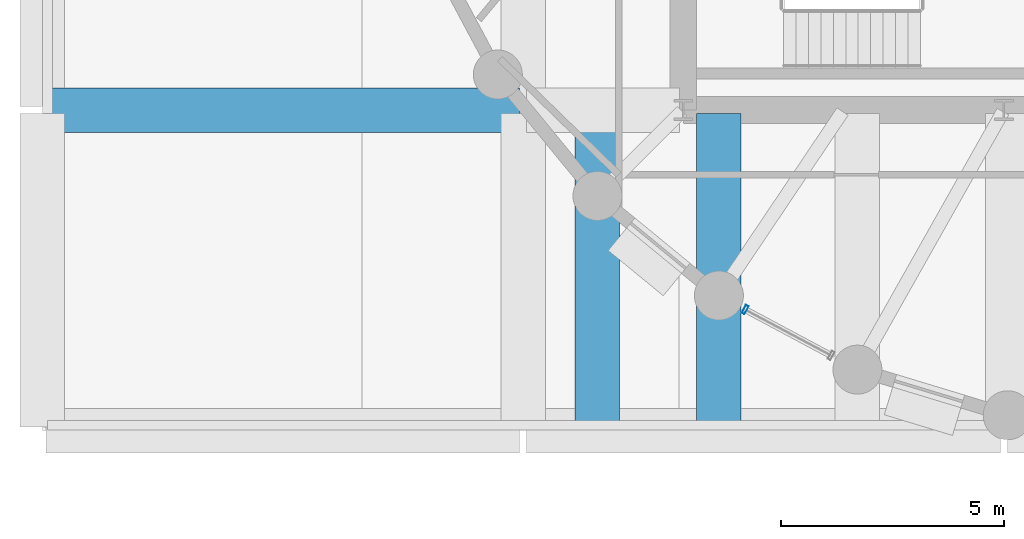
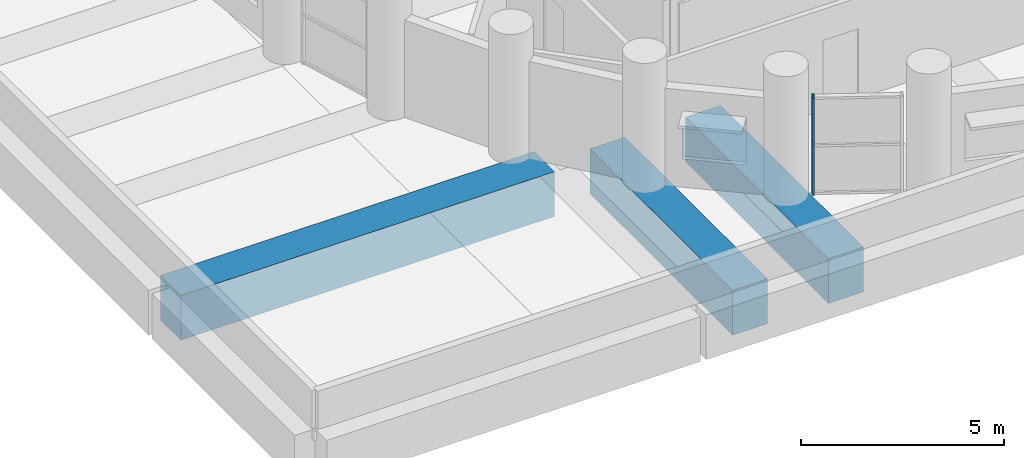
# One storey, part 2 of 39: 3 beams, 1 member, 1 element without a shape of its own.
"""IFC4 building model written with IfcOpenShell, lengths in metres."""

from ifc_helpers import new_model, si_unit, direction, frame, origin, origin_2d, place, context, subcontext, project, spatial, rectangle, hollow_rectangle, extrude, material, layer, layer_set, material_profile, profile_set, type_object, element, aggregate, save


model = new_model("IFC4")

# Units and contexts
model_context = context("Model", 3, precision=1e-05, world=origin(), true_north=direction((0.0, 1.0)))
body_context = subcontext(model_context, "Body", "Model", "MODEL_VIEW")
ifc_project = project(units=[si_unit("LENGTHUNIT", "METRE"), si_unit("AREAUNIT", "SQUARE_METRE"), si_unit("VOLUMEUNIT", "CUBIC_METRE"), si_unit("PLANEANGLEUNIT", "RADIAN"), si_unit("MASSUNIT", "GRAM", prefix="KILO")], contexts=[model_context])

# Site, building, storey
site_placement = place(None, origin())
site = spatial("IfcSite", under=ifc_project, at=site_placement, CompositionType="ELEMENT")
building_placement = place(site_placement, origin())
building = spatial("IfcBuilding", under=site, at=building_placement, Name="Solnavia Interchange Tower", CompositionType="ELEMENT")
storey_placement = place(building_placement, frame((0.0, 0.0, 24.0)))
storey = spatial("IfcBuildingStorey", under=building, at=storey_placement, Name="L05", CompositionType="ELEMENT", Elevation=24.0)

# Beams
ifc_material_1 = material(Name="Concrete C60/75", Category="concrete")
ifc_material_profile_1 = material_profile(ifc_material_1, rectangle(XDim=1.0, YDim=1.35009765625, at=origin_2d()), Name="RC 1000x1350")
ifc_profile_set_1 = profile_set([ifc_material_profile_1], Name="Concrete C60/75")
beam_type = type_object("IfcBeamType", Name="Beam-Transfer-RC1000x1350", PredefinedType="BEAM", material=ifc_profile_set_1)
beam_placement = place(storey_placement, frame((0.080078125, 10.800048828125, -0.675048828125), z_axis=(1.0, 0.0, 0.0), x_axis=(0.0, 1.0, 0.0)))
element("IfcBeam", 1, at=beam_placement, inside=storey, type_object=beam_type, Name="TRB-L05-07 West-south primary transfer girder", PredefinedType="BEAM", context=body_context, shape_type="SweptSolid", body=[
    extrude(rectangle(XDim=1.0, YDim=1.35009765625, at=origin_2d()), origin(), (0.0, 0.0, 1.0), 10.639892578125),
])
for number, where, z_axis, x_axis, name in (
    (2, (12.471923828125, 3.679931640625, -0.675048828125), (0.0, 1.0, 0.0), (-1.0, 0.0, 0.0), "TRB-L05-78 Drum south transfer girder"),
    (3, (15.199951171875, 3.679931640625, -0.675048828125), (0.0, 1.0, 0.0), (-1.0, 0.0, 0.0), "TRB-L05-79 Drum south transfer girder"),
):
    element("IfcBeam", number, at=place(storey_placement, frame(where, z_axis=z_axis, x_axis=x_axis)), inside=storey, type_object=beam_type, Name=name, PredefinedType="BEAM", context=body_context, shape_type="SweptSolid", body=[
        extrude(rectangle(XDim=1.0, YDim=1.35009765625, at=origin_2d()), origin(), (0.0, 0.0, 1.0), 7.0400390625),
    ])

# Curtain wall, member
ifc_material_2 = material(Name="Aluminium Alloy 6063-T6", Category="aluminium")
ifc_layer = layer(ifc_material_2, 0.219970703125)
ifc_layer_set = layer_set([ifc_layer], Name="Aluminium Alloy 6063-T6")
curtain_wall_type = type_object("IfcCurtainWallType", Name="CurtainWall-Tower-CTW3", PredefinedType="NOTDEFINED", material=ifc_layer_set)
curtain_wall_placement = place(storey_placement, origin())
curtain_wall = element("IfcCurtainWall", 4, at=curtain_wall_placement, inside=storey, type_object=curtain_wall_type, Name="CTW-L05-S62 CTW-3 curtain wall", PredefinedType="NOTDEFINED")
ifc_material_profile_2 = material_profile(ifc_material_2, hollow_rectangle(XDim=0.070068359375, YDim=0.199951171875, WallThickness=0.0048828125, at=origin_2d()), Name="ALU 200x70x5")
ifc_profile_set_2 = profile_set([ifc_material_profile_2], Name="Aluminium Alloy 6063-T6")
member_type = type_object("IfcMemberType", Name="CW-Mullion-CWM-3", PredefinedType="MULLION", material=ifc_profile_set_2)
member_placement = place(storey_placement, frame((15.790771484375, 6.318115234375, 0.0), z_axis=(0.0, 0.0, 1.0), x_axis=(0.881837729314, -0.471552986585, 0.0)))
member = element("IfcMember", 5, at=member_placement, type_object=member_type, Name="CTW-3 mullion 1", PredefinedType="MULLION", context=body_context, shape_type="SweptSolid", body=[
    extrude(hollow_rectangle(XDim=0.070068359375, YDim=0.199951171875, WallThickness=0.0048828125, at=origin_2d()), origin(), (0.0, 0.0, 1.0), 2.929931640625),
])
aggregate(curtain_wall, [member])

save(model, "model.ifc")
